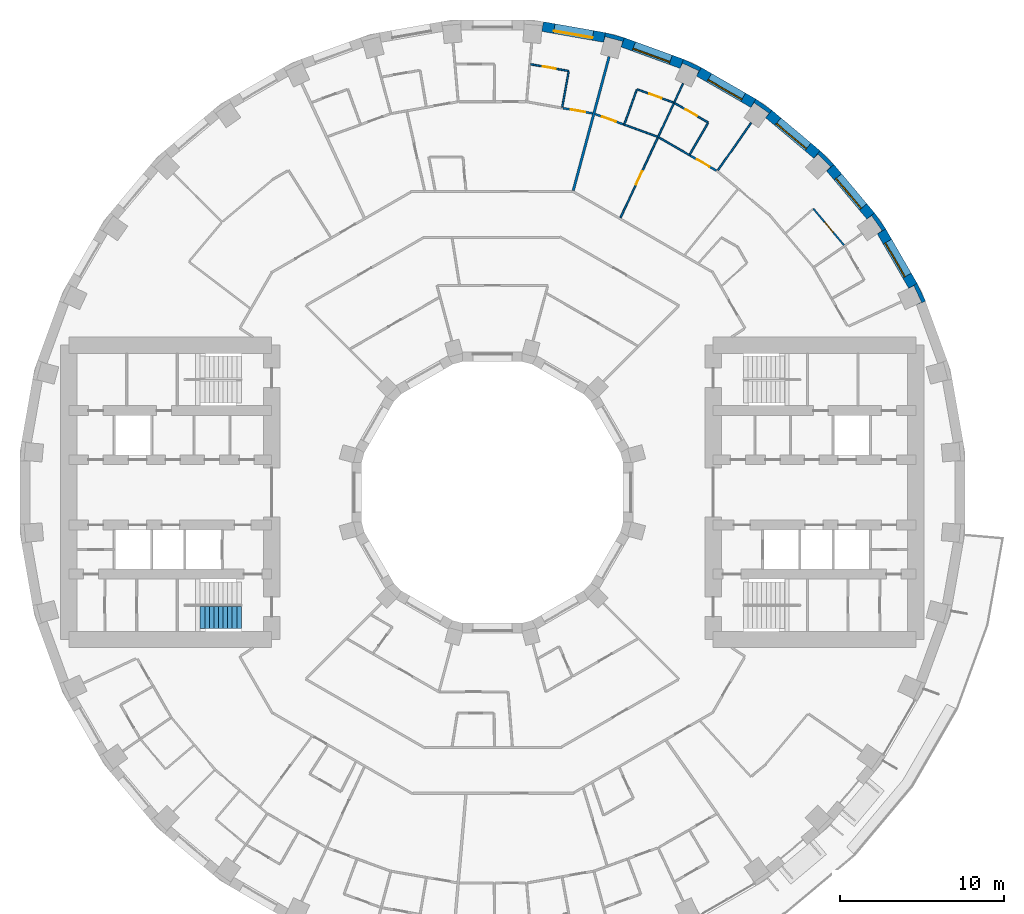
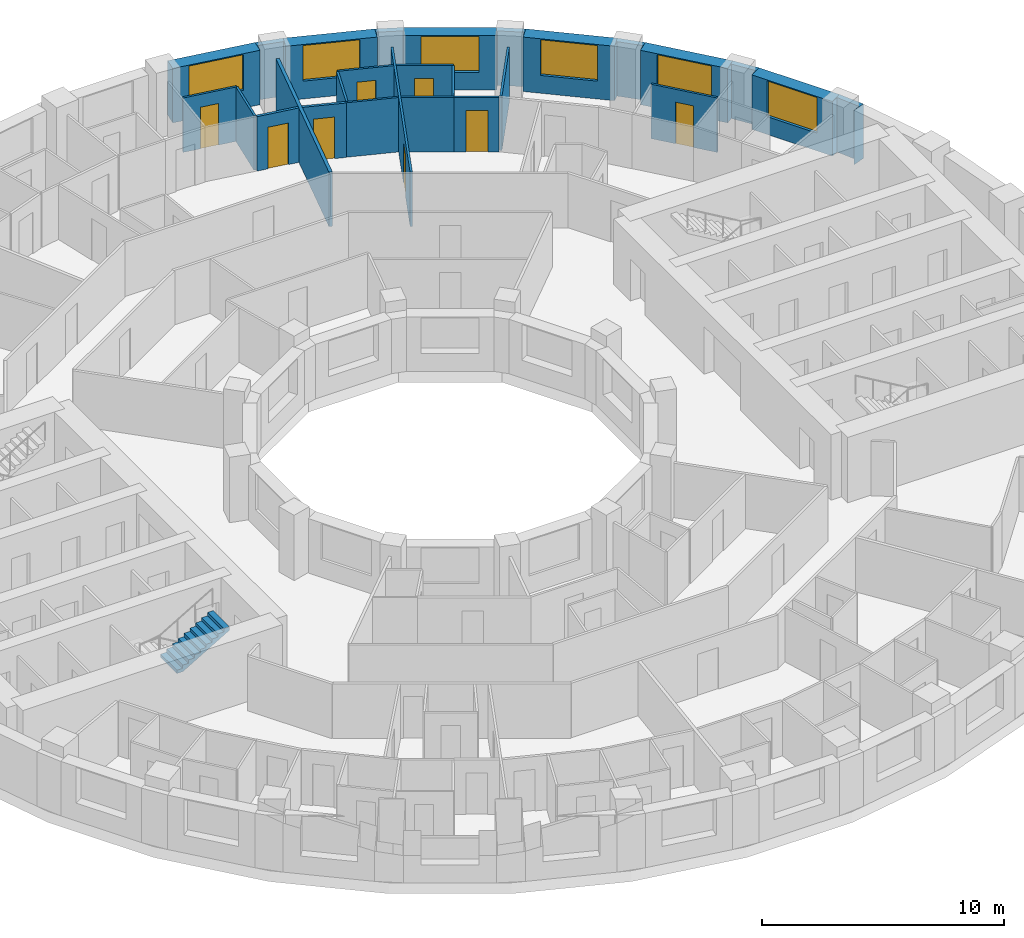
# One storey, part 13 of 15: 27 walls, 8 doors, 6 windows, 1 stair flight, 14 openings, 1 element without a shape of its own.
"""IFC4 building model written with IfcOpenShell, lengths in metres."""

from ifc_helpers import new_model, si_unit, direction, frame, frame_2d, origin, place, context, subcontext, project, spatial, polyline, rectangle, outline, extrude, material, layer, layer_set, type_object, element, fill, aggregate, save


model = new_model("IFC4")

# Units and contexts
model_context = context("Model", 3, precision=1e-05, world=origin(), true_north=direction((0.0, 1.0)))
body_context = subcontext(model_context, "Body", "Model", "MODEL_VIEW")
ifc_project = project(units=[si_unit("LENGTHUNIT", "METRE"), si_unit("AREAUNIT", "SQUARE_METRE"), si_unit("VOLUMEUNIT", "CUBIC_METRE"), si_unit("PLANEANGLEUNIT", "RADIAN"), si_unit("MASSUNIT", "GRAM", prefix="KILO")], contexts=[model_context])

# Site, building, storey
site_placement = place(None, origin())
site = spatial("IfcSite", under=ifc_project, at=site_placement, CompositionType="ELEMENT")
building_placement = place(site_placement, origin())
building = spatial("IfcBuilding", under=site, at=building_placement, Name="Saqina Gate Tower", CompositionType="ELEMENT")
storey_placement = place(building_placement, frame((0.0, 0.0, 39.5)))
storey = spatial("IfcBuildingStorey", under=building, at=storey_placement, Name="L10", CompositionType="ELEMENT", Elevation=39.5)

# Walls
ifc_material_1 = material(Name="Brick masonry (red)", Category="masonry")
wall_type_1 = type_object("IfcWallType", Name="BRICK PIER COPING RED", PredefinedType="SOLIDWALL", material=ifc_material_1)
wall_1_placement = place(storey_placement, origin())
element("IfcWall", 1, at=wall_1_placement, inside=storey, type_object=wall_type_1, Name="Pier cap L10 column 3", PredefinedType="SOLIDWALL", context=body_context, shape_type="SweptSolid", body=[
    extrude(outline(polyline([(25.980712890625, 12.779541015625), (25.4609375, 12.4794921875), (25.778564453125, 12.627685546875), (26.243408203125, 11.630615234375), (25.92578125, 11.482666015625), (26.48974609375, 11.687744140625), (25.980712890625, 12.779541015625)])), origin(), (0.0, 0.0, 1.0), 2.75),
])
wall_2_placement = place(storey_placement, origin())
element("IfcWall", 2, at=wall_2_placement, inside=storey, type_object=wall_type_1, Name="Pier cap L10 column 4", PredefinedType="SOLIDWALL", context=body_context, shape_type="SweptSolid", body=[
    extrude(outline(polyline([(24.0576171875, 16.110107421875), (23.36669921875, 17.096923828125), (22.9072265625, 16.711181640625), (23.194091796875, 16.912109375), (23.8251953125, 16.010986328125), (23.5380859375, 15.81005859375), (24.0576171875, 16.110107421875)])), origin(), (0.0, 0.0, 1.0), 2.75),
])
wall_3_placement = place(storey_placement, origin())
element("IfcWall", 3, at=wall_3_placement, inside=storey, type_object=wall_type_1, Name="Pier cap L10 column 5", PredefinedType="SOLIDWALL", context=body_context, shape_type="SweptSolid", body=[
    extrude(outline(polyline([(20.04296875, 20.894775390625), (19.6572265625, 20.43505859375), (19.905029296875, 20.682861328125), (20.682861328125, 19.905029296875), (20.43505859375, 19.6572265625), (20.894775390625, 20.04296875), (20.04296875, 20.894775390625)])), origin(), (0.0, 0.0, 1.0), 2.75),
])
wall_4_placement = place(storey_placement, origin())
element("IfcWall", 4, at=wall_4_placement, inside=storey, type_object=wall_type_1, Name="Pier cap L10 column 6", PredefinedType="SOLIDWALL", context=body_context, shape_type="SweptSolid", body=[
    extrude(outline(polyline([(17.096923828125, 23.36669921875), (16.110107421875, 24.0576171875), (15.81005859375, 23.5380859375), (16.010986328125, 23.8251953125), (16.912109375, 23.194091796875), (16.711181640625, 22.9072265625), (17.096923828125, 23.36669921875)])), origin(), (0.0, 0.0, 1.0), 2.75),
])
wall_5_placement = place(storey_placement, origin())
element("IfcWall", 5, at=wall_5_placement, inside=storey, type_object=wall_type_1, Name="Pier cap L10 column 7", PredefinedType="SOLIDWALL", context=body_context, shape_type="SweptSolid", body=[
    extrude(outline(polyline([(11.687744140625, 26.48974609375), (11.482666015625, 25.92578125), (11.630615234375, 26.243408203125), (12.627685546875, 25.778564453125), (12.4794921875, 25.4609375), (12.779541015625, 25.980712890625), (11.687744140625, 26.48974609375)])), origin(), (0.0, 0.0, 1.0), 2.75),
])
wall_6_placement = place(storey_placement, origin())
element("IfcWall", 6, at=wall_6_placement, inside=storey, type_object=wall_type_1, Name="Pier cap L10 column 8", PredefinedType="SOLIDWALL", context=body_context, shape_type="SweptSolid", body=[
    extrude(outline(polyline([(6.910400390625, 28.11669921875), (6.80615234375, 27.52587890625), (6.896728515625, 27.864501953125), (7.95947265625, 27.57958984375), (7.86865234375, 27.2412109375), (8.073974609375, 27.80517578125), (6.910400390625, 28.11669921875)])), origin(), (0.0, 0.0, 1.0), 2.75),
])

# Wall, opening, window
ifc_material_2 = material(Name="Brick masonry (red)", Category="masonry")
ifc_layer_1 = layer(ifc_material_2, 0.60009765625)
ifc_layer_set_1 = layer_set([ifc_layer_1], Name="FW-BRICK-RED")
wall_type_2 = type_object("IfcWallType", Name="FW-BRICK-RED", PredefinedType="SOLIDWALL", material=ifc_layer_set_1)
wall_7_placement = place(storey_placement, frame((25.720703125, 12.629638671875, 0.0), z_axis=(0.0, 0.0, 1.0), x_axis=(-0.499989888488, 0.86603124159, 0.0)))
wall_7 = element("IfcWall", 7, at=wall_7_placement, inside=storey, type_object=wall_type_2, Name="Facade wall L10 facet 3", PredefinedType="SOLIDWALL", context=body_context, shape_type="SweptSolid", body=[
    extrude(rectangle(XDim=3.845703125, YDim=0.60009765625, at=frame_2d((1.9228515625, 0.0))), origin(), (0.0, 0.0, 1.0), 2.75),
])
opening_1_placement = place(wall_7_placement, frame((0.722900390625, 0.0, 0.89990234375)))
opening_1 = element("IfcOpeningElement", 8, at=opening_1_placement, cuts=wall_7, Name="Opening G02-W01", PredefinedType="OPENING", context=body_context, shape_type="SweptSolid", body=[
    extrude(rectangle(XDim=2.39990234375, YDim=1.800048828125, at=frame_2d((1.199951171875, 0.89990234375))), frame((0.0, 0.31201171875, 0.0), z_axis=(0.0, -1.0, 0.0), x_axis=(1.0, 0.0, 0.0)), (0.0, 0.0, 1.0), 0.6240234375),
])
ifc_material_3 = material(Name="Aluminium glazing", Category="aluminium")
window_type = type_object("IfcWindowType", Name="WN-A", PartitioningType="SINGLE_PANEL", PredefinedType="WINDOW", material=ifc_material_3)
window_1_placement = place(opening_1_placement, origin())
window_1 = element("IfcWindow", 9, at=window_1_placement, inside=storey, type_object=window_type, Name="Window L10 facet 3", OverallHeight=1.800048828125, OverallWidth=2.39990234375, PartitioningType="SINGLE_PANEL", PredefinedType="WINDOW", context=body_context, shape_type="SweptSolid", body=[
    extrude(rectangle(XDim=2.39990234375, YDim=1.800048828125, at=frame_2d((1.199951171875, 0.89990234375))), frame((0.0, 0.179931640625, 0.0), z_axis=(0.0, -1.0, 0.0), x_axis=(1.0, 0.0, 0.0)), (0.0, 0.0, 1.0), 0.06005859375),
])
fill(opening_1, window_1)

wall_8_placement = place(storey_placement, frame((23.136962890625, 16.904052734375, 0.0), z_axis=(0.0, 0.0, 1.0), x_axis=(-0.642809392687, 0.766026164483, 0.0)))
wall_8 = element("IfcWall", 10, at=wall_8_placement, inside=storey, type_object=wall_type_2, Name="Facade wall L10 facet 4", PredefinedType="SOLIDWALL", context=body_context, shape_type="SweptSolid", body=[
    extrude(rectangle(XDim=3.845947265625, YDim=0.60009765625, at=frame_2d((1.9228515625, 0.0))), origin(), (0.0, 0.0, 1.0), 2.75),
])
opening_2_placement = place(wall_8_placement, frame((0.722900390625, 0.0, 0.89990234375)))
opening_2 = element("IfcOpeningElement", 11, at=opening_2_placement, cuts=wall_8, Name="Opening G02-W02", PredefinedType="OPENING", context=body_context, shape_type="SweptSolid", body=[
    extrude(rectangle(XDim=2.39990234375, YDim=1.800048828125, at=frame_2d((1.199951171875, 0.89990234375))), frame((0.0, 0.31201171875, 0.0), z_axis=(0.0, -1.0, 0.0), x_axis=(1.0, 0.0, 0.0)), (0.0, 0.0, 1.0), 0.6240234375),
])
window_2_placement = place(opening_2_placement, origin())
window_2 = element("IfcWindow", 12, at=window_2_placement, inside=storey, type_object=window_type, Name="Window L10 facet 4", OverallHeight=1.800048828125, OverallWidth=2.39990234375, PartitioningType="SINGLE_PANEL", PredefinedType="WINDOW", context=body_context, shape_type="SweptSolid", body=[
    extrude(rectangle(XDim=2.39990234375, YDim=1.800048828125, at=frame_2d((1.199951171875, 0.89990234375))), frame((0.0, 0.179931640625, 0.0), z_axis=(0.0, -1.0, 0.0), x_axis=(1.0, 0.0, 0.0)), (0.0, 0.0, 1.0), 0.06005859375),
])
fill(opening_2, window_2)

wall_9_placement = place(storey_placement, frame((19.85009765625, 20.664794921875, 0.0), z_axis=(0.0, 0.0, 1.0), x_axis=(-0.766026164483, 0.642809392687, 0.0)))
wall_9 = element("IfcWall", 13, at=wall_9_placement, inside=storey, type_object=wall_type_2, Name="Facade wall L10 facet 5", PredefinedType="SOLIDWALL", context=body_context, shape_type="SweptSolid", body=[
    extrude(rectangle(XDim=3.845947265625, YDim=0.60009765625, at=frame_2d((1.9228515625, 0.0))), origin(), (0.0, 0.0, 1.0), 2.75),
])
opening_3_placement = place(wall_9_placement, frame((0.722900390625, 0.0, 0.89990234375)))
opening_3 = element("IfcOpeningElement", 14, at=opening_3_placement, cuts=wall_9, Name="Opening G02-W03", PredefinedType="OPENING", context=body_context, shape_type="SweptSolid", body=[
    extrude(rectangle(XDim=2.39990234375, YDim=1.800048828125, at=frame_2d((1.199951171875, 0.89990234375))), frame((0.0, 0.31201171875, 0.0), z_axis=(0.0, -1.0, 0.0), x_axis=(1.0, 0.0, 0.0)), (0.0, 0.0, 1.0), 0.6240234375),
])
window_3_placement = place(opening_3_placement, origin())
window_3 = element("IfcWindow", 15, at=window_3_placement, inside=storey, type_object=window_type, Name="Window L10 facet 5", OverallHeight=1.800048828125, OverallWidth=2.39990234375, PartitioningType="SINGLE_PANEL", PredefinedType="WINDOW", context=body_context, shape_type="SweptSolid", body=[
    extrude(rectangle(XDim=2.39990234375, YDim=1.800048828125, at=frame_2d((1.199951171875, 0.89990234375))), frame((0.0, 0.179931640625, 0.0), z_axis=(0.0, -1.0, 0.0), x_axis=(1.0, 0.0, 0.0)), (0.0, 0.0, 1.0), 0.06005859375),
])
fill(opening_3, window_3)

wall_10_placement = place(storey_placement, frame((15.960205078125, 23.7978515625, 0.0), z_axis=(0.0, 0.0, 1.0), x_axis=(-0.86603124159, 0.499989888488, 0.0)))
wall_10 = element("IfcWall", 16, at=wall_10_placement, inside=storey, type_object=wall_type_2, Name="Facade wall L10 facet 6", PredefinedType="SOLIDWALL", context=body_context, shape_type="SweptSolid", body=[
    extrude(rectangle(XDim=3.845703125, YDim=0.60009765625, at=frame_2d((1.9228515625, 0.0))), origin(), (0.0, 0.0, 1.0), 2.75),
])
opening_4_placement = place(wall_10_placement, frame((0.722900390625, 0.0, 0.89990234375)))
opening_4 = element("IfcOpeningElement", 17, at=opening_4_placement, cuts=wall_10, Name="Opening G02-W04", PredefinedType="OPENING", context=body_context, shape_type="SweptSolid", body=[
    extrude(rectangle(XDim=2.39990234375, YDim=1.800048828125, at=frame_2d((1.199951171875, 0.89990234375))), frame((0.0, 0.31201171875, 0.0), z_axis=(0.0, -1.0, 0.0), x_axis=(1.0, 0.0, 0.0)), (0.0, 0.0, 1.0), 0.6240234375),
])
window_4_placement = place(opening_4_placement, origin())
window_4 = element("IfcWindow", 18, at=window_4_placement, inside=storey, type_object=window_type, Name="Window L10 facet 6", OverallHeight=1.800048828125, OverallWidth=2.39990234375, PartitioningType="SINGLE_PANEL", PredefinedType="WINDOW", context=body_context, shape_type="SweptSolid", body=[
    extrude(rectangle(XDim=2.39990234375, YDim=1.800048828125, at=frame_2d((1.199951171875, 0.89990234375))), frame((0.0, 0.179931640625, 0.0), z_axis=(0.0, -1.0, 0.0), x_axis=(1.0, 0.0, 0.0)), (0.0, 0.0, 1.0), 0.06005859375),
])
fill(opening_4, window_4)

wall_11_placement = place(storey_placement, frame((11.585205078125, 26.207763671875, 0.0), z_axis=(0.0, 0.0, 1.0), x_axis=(-0.939689588564, 0.342028474173, 0.0)))
wall_11 = element("IfcWall", 19, at=wall_11_placement, inside=storey, type_object=wall_type_2, Name="Facade wall L10 facet 7", PredefinedType="SOLIDWALL", context=body_context, shape_type="SweptSolid", body=[
    extrude(rectangle(XDim=3.845947265625, YDim=0.60009765625, at=frame_2d((1.9228515625, 0.0))), origin(), (0.0, 0.0, 1.0), 2.75),
])
opening_5_placement = place(wall_11_placement, frame((0.722900390625, 0.0, 0.89990234375)))
opening_5 = element("IfcOpeningElement", 20, at=opening_5_placement, cuts=wall_11, Name="Opening G02-W05", PredefinedType="OPENING", context=body_context, shape_type="SweptSolid", body=[
    extrude(rectangle(XDim=2.39990234375, YDim=1.800048828125, at=frame_2d((1.199951171875, 0.89990234375))), frame((0.0, 0.31201171875, 0.0), z_axis=(0.0, -1.0, 0.0), x_axis=(1.0, 0.0, 0.0)), (0.0, 0.0, 1.0), 0.6240234375),
])
window_5_placement = place(opening_5_placement, origin())
window_5 = element("IfcWindow", 21, at=window_5_placement, inside=storey, type_object=window_type, Name="Window L10 facet 7", OverallHeight=1.800048828125, OverallWidth=2.39990234375, PartitioningType="SINGLE_PANEL", PredefinedType="WINDOW", context=body_context, shape_type="SweptSolid", body=[
    extrude(rectangle(XDim=2.39990234375, YDim=1.800048828125, at=frame_2d((1.199951171875, 0.89990234375))), frame((0.0, 0.179931640625, 0.0), z_axis=(0.0, -1.0, 0.0), x_axis=(1.0, 0.0, 0.0)), (0.0, 0.0, 1.0), 0.06005859375),
])
fill(opening_5, window_5)

wall_12_placement = place(storey_placement, frame((6.858154296875, 27.8212890625, 0.0), z_axis=(0.0, 0.0, 1.0), x_axis=(-0.984800809218, 0.173687553279, 0.0)))
wall_12 = element("IfcWall", 22, at=wall_12_placement, inside=storey, type_object=wall_type_2, Name="Facade wall L10 facet 8", PredefinedType="SOLIDWALL", context=body_context, shape_type="SweptSolid", body=[
    extrude(rectangle(XDim=3.845703125, YDim=0.60009765625, at=frame_2d((1.9228515625, 0.0))), origin(), (0.0, 0.0, 1.0), 2.75),
])
opening_6_placement = place(wall_12_placement, frame((0.722900390625, 0.0, 0.89990234375)))
opening_6 = element("IfcOpeningElement", 23, at=opening_6_placement, cuts=wall_12, Name="Opening G02-W06", PredefinedType="OPENING", context=body_context, shape_type="SweptSolid", body=[
    extrude(rectangle(XDim=2.39990234375, YDim=1.800048828125, at=frame_2d((1.199951171875, 0.89990234375))), frame((0.0, 0.31201171875, 0.0), z_axis=(0.0, -1.0, 0.0), x_axis=(1.0, 0.0, 0.0)), (0.0, 0.0, 1.0), 0.6240234375),
])
window_6_placement = place(opening_6_placement, origin())
window_6 = element("IfcWindow", 24, at=window_6_placement, inside=storey, type_object=window_type, Name="Window L10 facet 8", OverallHeight=1.800048828125, OverallWidth=2.39990234375, PartitioningType="SINGLE_PANEL", PredefinedType="WINDOW", context=body_context, shape_type="SweptSolid", body=[
    extrude(rectangle(XDim=2.39990234375, YDim=1.800048828125, at=frame_2d((1.199951171875, 0.89990234375))), frame((0.0, 0.179931640625, 0.0), z_axis=(0.0, -1.0, 0.0), x_axis=(1.0, 0.0, 0.0)), (0.0, 0.0, 1.0), 0.06005859375),
])
fill(opening_6, window_6)

# Wall, opening, door
ifc_material_4 = material(Name="Gypsum board on steel studs, 100 mm", Category="steel")
ifc_layer_2 = layer(ifc_material_4, 0.10009765625)
ifc_layer_set_2 = layer_set([ifc_layer_2], Name="PARTITION 100")
wall_type_3 = type_object("IfcWallType", Name="PARTITION 100", PredefinedType="PARTITIONING", material=ifc_layer_set_2)
wall_13_placement = place(storey_placement, frame((19.62890625, 17.35107421875, 0.0), z_axis=(0.0, 0.0, 1.0), x_axis=(0.642701049916, -0.766117067057, 0.0)))
wall_13 = element("IfcWall", 25, at=wall_13_placement, inside=storey, type_object=wall_type_3, Name="PARTITION PW3-33", PredefinedType="PARTITIONING", context=body_context, shape_type="SweptSolid", body=[
    extrude(rectangle(XDim=2.915771484375, YDim=0.10009765625, at=frame_2d((1.4580078125, 0.0))), origin(), (0.0, 0.0, 1.0), 2.75),
])
opening_7_placement = place(wall_13_placement, frame((1.082763671875, 0.0, 0.0)))
opening_7 = element("IfcOpeningElement", 26, at=opening_7_placement, cuts=wall_13, Name="Opening G02-D04", PredefinedType="OPENING", context=body_context, shape_type="SweptSolid", body=[
    extrude(rectangle(XDim=0.800048828125, YDim=2.10009765625, at=frame_2d((0.39990234375, 1.050048828125))), frame((0.0, 0.06201171875, 0.0), z_axis=(0.0, -1.0, 0.0), x_axis=(1.0, 0.0, 0.0)), (0.0, 0.0, 1.0), 0.1240234375),
])
ifc_material_5 = material(Name="Timber door leaf, 800 mm", Category="wood")
door_type_1 = type_object("IfcDoorType", Name="DOOR 800 TIMBER", OperationType="SINGLE_SWING_LEFT", PredefinedType="DOOR", material=ifc_material_5)
door_1_placement = place(opening_7_placement, origin())
door_1 = element("IfcDoor", 27, at=door_1_placement, inside=storey, type_object=door_type_1, Name="DOOR G02-D04", OperationType="SINGLE_SWING_RIGHT", OverallHeight=2.10009765625, OverallWidth=0.800048828125, PredefinedType="DOOR", context=body_context, shape_type="SweptSolid", body=[
    extrude(rectangle(XDim=0.800048828125, YDim=2.10009765625, at=frame_2d((0.39990234375, 1.050048828125))), frame((0.0, 0.02490234375, 0.0), z_axis=(0.0, -1.0, 0.0), x_axis=(1.0, 0.0, 0.0)), (0.0, 0.0, 1.0), 0.050048828125),
])
fill(opening_7, door_1)

# Wall
wall_14_placement = place(storey_placement, frame((10.17822265625, 21.708984375, 0.0), z_axis=(0.0, 0.0, 1.0), x_axis=(0.865986508459, -0.50006736263, 0.0)))
element("IfcWall", 28, at=wall_14_placement, inside=storey, type_object=wall_type_3, Name="PARTITION PW3-47", PredefinedType="PARTITIONING", context=body_context, shape_type="SweptSolid", body=[
    extrude(rectangle(XDim=2.205810546875, YDim=0.10009765625, at=frame_2d((1.10302734375, 0.0))), origin(), (0.0, 0.0, 1.0), 2.75),
])

# Wall, opening, door
wall_15_placement = place(storey_placement, frame((11.154296875, 23.802001953125, 0.0), z_axis=(0.0, 0.0, 1.0), x_axis=(0.865910737143, -0.500198555877, 0.0)))
wall_15 = element("IfcWall", 29, at=wall_15_placement, inside=storey, type_object=wall_type_3, Name="PARTITION PW3-48", PredefinedType="PARTITIONING", context=body_context, shape_type="SweptSolid", body=[
    extrude(rectangle(XDim=2.3671875, YDim=0.10009765625, at=frame_2d((1.18359375, 0.0))), origin(), (0.0, 0.0, 1.0), 2.75),
])
opening_8_placement = place(wall_15_placement, frame((0.758544921875, 0.0, 0.0)))
opening_8 = element("IfcOpeningElement", 30, at=opening_8_placement, cuts=wall_15, Name="Opening G02-D11", PredefinedType="OPENING", context=body_context, shape_type="SweptSolid", body=[
    extrude(rectangle(XDim=0.800048828125, YDim=2.10009765625, at=frame_2d((0.39990234375, 1.050048828125))), frame((0.0, 0.06201171875, 0.0), z_axis=(0.0, -1.0, 0.0), x_axis=(1.0, 0.0, 0.0)), (0.0, 0.0, 1.0), 0.1240234375),
])
door_2_placement = place(opening_8_placement, origin())
door_2 = element("IfcDoor", 31, at=door_2_placement, inside=storey, type_object=door_type_1, Name="DOOR G02-D11", OperationType="SINGLE_SWING_LEFT", OverallHeight=2.10009765625, OverallWidth=0.800048828125, PredefinedType="DOOR", context=body_context, shape_type="SweptSolid", body=[
    extrude(rectangle(XDim=0.800048828125, YDim=2.10009765625, at=frame_2d((0.39990234375, 1.050048828125))), frame((0.0, 0.02490234375, 0.0), z_axis=(0.0, -1.0, 0.0), x_axis=(1.0, 0.0, 0.0)), (0.0, 0.0, 1.0), 0.050048828125),
])
fill(opening_8, door_2)

# Wall
wall_16_placement = place(storey_placement, frame((8.014892578125, 22.505126953125, 0.0), z_axis=(0.0, 0.0, 1.0), x_axis=(0.939744943051, -0.341876354856, 0.0)))
element("IfcWall", 32, at=wall_16_placement, inside=storey, type_object=wall_type_3, Name="PARTITION PW3-51", PredefinedType="PARTITIONING", context=body_context, shape_type="SweptSolid", body=[
    extrude(rectangle(XDim=2.205810546875, YDim=0.10009765625, at=frame_2d((1.10302734375, 0.0))), origin(), (0.0, 0.0, 1.0), 2.75),
])

# Wall, opening, door
wall_17_placement = place(storey_placement, frame((8.839111328125, 24.653076171875, 0.0), z_axis=(0.0, 0.0, 1.0), x_axis=(0.939787401385, -0.341759623416, 0.0)))
wall_17 = element("IfcWall", 33, at=wall_17_placement, inside=storey, type_object=wall_type_3, Name="PARTITION PW3-52", PredefinedType="PARTITIONING", context=body_context, shape_type="SweptSolid", body=[
    extrude(rectangle(XDim=2.367431640625, YDim=0.10009765625, at=frame_2d((1.18359375, 0.0))), origin(), (0.0, 0.0, 1.0), 2.75),
])
opening_9_placement = place(wall_17_placement, frame((0.80859375, 0.0, 0.0)))
opening_9 = element("IfcOpeningElement", 34, at=opening_9_placement, cuts=wall_17, Name="Opening G02-D13", PredefinedType="OPENING", context=body_context, shape_type="SweptSolid", body=[
    extrude(rectangle(XDim=0.800048828125, YDim=2.10009765625, at=frame_2d((0.39990234375, 1.050048828125))), frame((0.0, 0.06201171875, 0.0), z_axis=(0.0, -1.0, 0.0), x_axis=(1.0, 0.0, 0.0)), (0.0, 0.0, 1.0), 0.1240234375),
])
door_3_placement = place(opening_9_placement, origin())
door_3 = element("IfcDoor", 35, at=door_3_placement, inside=storey, type_object=door_type_1, Name="DOOR G02-D13", OperationType="SINGLE_SWING_RIGHT", OverallHeight=2.10009765625, OverallWidth=0.800048828125, PredefinedType="DOOR", context=body_context, shape_type="SweptSolid", body=[
    extrude(rectangle(XDim=0.800048828125, YDim=2.10009765625, at=frame_2d((0.39990234375, 1.050048828125))), frame((0.0, 0.02490234375, 0.0), z_axis=(0.0, -1.0, 0.0), x_axis=(1.0, 0.0, 0.0)), (0.0, 0.0, 1.0), 0.050048828125),
])
fill(opening_9, door_3)

wall_18_placement = place(storey_placement, frame((2.34033203125, 26.181396484375, 0.0), z_axis=(0.0, 0.0, 1.0), x_axis=(0.984791861756, -0.173738277359, 0.0)))
wall_18 = element("IfcWall", 36, at=wall_18_placement, inside=storey, type_object=wall_type_3, Name="PARTITION PW3-56", PredefinedType="PARTITIONING", context=body_context, shape_type="SweptSolid", body=[
    extrude(rectangle(XDim=2.36767578125, YDim=0.10009765625, at=frame_2d((1.183837890625, 0.0))), origin(), (0.0, 0.0, 1.0), 2.75),
])
opening_10_placement = place(wall_18_placement, frame((0.7587890625, 0.0, 0.0)))
opening_10 = element("IfcOpeningElement", 37, at=opening_10_placement, cuts=wall_18, Name="Opening G02-D16", PredefinedType="OPENING", context=body_context, shape_type="SweptSolid", body=[
    extrude(rectangle(XDim=0.800048828125, YDim=2.10009765625, at=frame_2d((0.39990234375, 1.050048828125))), frame((0.0, 0.06201171875, 0.0), z_axis=(0.0, -1.0, 0.0), x_axis=(1.0, 0.0, 0.0)), (0.0, 0.0, 1.0), 0.1240234375),
])
door_4_placement = place(opening_10_placement, origin())
door_4 = element("IfcDoor", 38, at=door_4_placement, inside=storey, type_object=door_type_1, Name="DOOR G02-D16", OperationType="SINGLE_SWING_LEFT", OverallHeight=2.10009765625, OverallWidth=0.800048828125, PredefinedType="DOOR", context=body_context, shape_type="SweptSolid", body=[
    extrude(rectangle(XDim=0.800048828125, YDim=2.10009765625, at=frame_2d((0.39990234375, 1.050048828125))), frame((0.0, 0.02490234375, 0.0), z_axis=(0.0, -1.0, 0.0), x_axis=(1.0, 0.0, 0.0)), (0.0, 0.0, 1.0), 0.050048828125),
])
fill(opening_10, door_4)

# Walls
wall_19_placement = place(storey_placement, frame((13.790771484375, 19.6953125, 0.0), z_axis=(0.0, 0.0, 1.0), x_axis=(0.573554740156, 0.8191672357, 0.0)))
element("IfcWall", 39, at=wall_19_placement, inside=storey, type_object=wall_type_3, Name="PARTITION PW3-98", PredefinedType="PARTITIONING", context=body_context, shape_type="SweptSolid", body=[
    extrude(rectangle(XDim=3.546630859375, YDim=0.10009765625, at=frame_2d((1.7734375, 0.0))), origin(), (0.0, 0.0, 1.0), 2.75),
])
wall_20_placement = place(storey_placement, frame((12.076416015625, 20.68505859375, 0.0), z_axis=(0.0, 0.0, 1.0), x_axis=(0.503871025524, 0.863778900898, 0.0)))
element("IfcWall", 40, at=wall_20_placement, inside=storey, type_object=wall_type_3, Name="PARTITION PW3-100", PredefinedType="PARTITIONING", context=body_context, shape_type="SweptSolid", body=[
    extrude(rectangle(XDim=2.187744140625, YDim=0.10009765625, at=frame_2d((1.09375, 0.0))), origin(), (0.0, 0.0, 1.0), 2.75),
])

# Wall, opening, door
wall_21_placement = place(storey_placement, frame((7.834716796875, 16.795654296875, 0.0), z_axis=(0.0, 0.0, 1.0), x_axis=(0.422351185038, 0.906432279046, 0.0)))
wall_21 = element("IfcWall", 41, at=wall_21_placement, inside=storey, type_object=wall_type_3, Name="PARTITION PW3-103", PredefinedType="PARTITIONING", context=body_context, shape_type="SweptSolid", body=[
    extrude(rectangle(XDim=9.056884765625, YDim=0.10009765625, at=frame_2d((4.5283203125, 0.0))), origin(), (0.0, 0.0, 1.0), 2.75),
])
opening_11_placement = place(wall_21_placement, frame((2.24267578125, 0.0, 0.0)))
opening_11 = element("IfcOpeningElement", 42, at=opening_11_placement, cuts=wall_21, Name="Opening G02-D12", PredefinedType="OPENING", context=body_context, shape_type="SweptSolid", body=[
    extrude(rectangle(XDim=0.89990234375, YDim=2.10009765625, at=frame_2d((0.449951171875, 1.050048828125))), frame((0.0, 0.06201171875, 0.0), z_axis=(0.0, -1.0, 0.0), x_axis=(1.0, 0.0, 0.0)), (0.0, 0.0, 1.0), 0.1240234375),
])
ifc_material_6 = material(Name="Timber door leaf, 900 mm", Category="wood")
door_type_2 = type_object("IfcDoorType", Name="DOOR 900 TIMBER", OperationType="SINGLE_SWING_LEFT", PredefinedType="DOOR", material=ifc_material_6)
door_5_placement = place(opening_11_placement, frame((0.89990234375, 0.0, 0.0), z_axis=(0.0, 0.0, 1.0), x_axis=(-1.0, 0.0, 0.0)))
door_5 = element("IfcDoor", 43, at=door_5_placement, inside=storey, type_object=door_type_2, Name="DOOR G02-D12", OperationType="SINGLE_SWING_RIGHT", OverallHeight=2.10009765625, OverallWidth=0.89990234375, PredefinedType="DOOR", context=body_context, shape_type="SweptSolid", body=[
    extrude(rectangle(XDim=0.89990234375, YDim=2.10009765625, at=frame_2d((0.449951171875, 1.050048828125))), frame((0.0, 0.02490234375, 0.0), z_axis=(0.0, -1.0, 0.0), x_axis=(1.0, 0.0, 0.0)), (0.0, 0.0, 1.0), 0.050048828125),
])
fill(opening_11, door_5)

# Walls
wall_22_placement = place(storey_placement, frame((8.0830078125, 22.546875, 0.0), z_axis=(0.0, 0.0, 1.0), x_axis=(0.337806451735, 0.9412155976, 0.0)))
element("IfcWall", 44, at=wall_22_placement, inside=storey, type_object=wall_type_3, Name="PARTITION PW3-106", PredefinedType="PARTITIONING", context=body_context, shape_type="SweptSolid", body=[
    extrude(rectangle(XDim=2.187744140625, YDim=0.10009765625, at=frame_2d((1.09375, 0.0))), origin(), (0.0, 0.0, 1.0), 2.75),
])
wall_23_placement = place(storey_placement, frame((4.27099609375, 23.55615234375, 0.0), z_axis=(0.0, 0.0, 1.0), x_axis=(0.178240802931, 0.983986898373, 0.0)))
element("IfcWall", 45, at=wall_23_placement, inside=storey, type_object=wall_type_3, Name="PARTITION PW3-109", PredefinedType="PARTITIONING", context=body_context, shape_type="SweptSolid", body=[
    extrude(rectangle(XDim=2.19970703125, YDim=0.10009765625, at=frame_2d((1.099853515625, 0.0))), origin(), (0.0, 0.0, 1.0), 2.75),
])

# Wall, opening, door
ifc_material_7 = material(Name="Gypsum board on steel studs, 125 mm, fire rated", Category="steel")
ifc_layer_3 = layer(ifc_material_7, 0.125)
ifc_layer_set_3 = layer_set([ifc_layer_3], Name="PARTITION EI 30 125")
wall_type_4 = type_object("IfcWallType", Name="PARTITION EI 30 125", PredefinedType="PARTITIONING", material=ifc_layer_set_3)
wall_24_placement = place(storey_placement, frame((12.08837890625, 20.60595703125, 0.0), z_axis=(0.0, 0.0, 1.0), x_axis=(0.866104801807, -0.499862453367, 0.0)))
wall_24 = element("IfcWall", 46, at=wall_24_placement, inside=storey, type_object=wall_type_4, Name="PARTITION PW1-21", PredefinedType="PARTITIONING", context=body_context, shape_type="SweptSolid", body=[
    extrude(rectangle(XDim=1.86181640625, YDim=0.125, at=frame_2d((0.930908203125, 0.0))), origin(), (0.0, 0.0, 1.0), 2.75),
])
opening_12_placement = place(wall_24_placement, frame((0.4873046875, 0.0, 0.0)))
opening_12 = element("IfcOpeningElement", 47, at=opening_12_placement, cuts=wall_24, Name="Opening G02-D08", PredefinedType="OPENING", context=body_context, shape_type="SweptSolid", body=[
    extrude(rectangle(XDim=0.89990234375, YDim=2.10009765625, at=frame_2d((0.449951171875, 1.050048828125))), frame((0.0, 0.074462890625, 0.0), z_axis=(0.0, -1.0, 0.0), x_axis=(1.0, 0.0, 0.0)), (0.0, 0.0, 1.0), 0.14892578125),
])
ifc_material_8 = material(Name="Fire door leaf EI 30, 900 mm")
door_type_3 = type_object("IfcDoorType", Name="DOOR 900 EI 30", OperationType="SINGLE_SWING_LEFT", PredefinedType="DOOR", material=ifc_material_8)
door_6_placement = place(opening_12_placement, frame((0.89990234375, 0.0, 0.0), z_axis=(0.0, 0.0, 1.0), x_axis=(-1.0, 0.0, 0.0)))
door_6 = element("IfcDoor", 48, at=door_6_placement, inside=storey, type_object=door_type_3, Name="DOOR G02-D08", OperationType="SINGLE_SWING_LEFT", OverallHeight=2.10009765625, OverallWidth=0.89990234375, PredefinedType="DOOR", context=body_context, shape_type="SweptSolid", body=[
    extrude(rectangle(XDim=0.89990234375, YDim=2.10009765625, at=frame_2d((0.449951171875, 1.050048828125))), frame((0.0, 0.02490234375, 0.0), z_axis=(0.0, -1.0, 0.0), x_axis=(1.0, 0.0, 0.0)), (0.0, 0.0, 1.0), 0.050048828125),
])
fill(opening_12, door_6)

wall_25_placement = place(storey_placement, frame((6.277587890625, 23.138427734375, 0.0), z_axis=(0.0, 0.0, 1.0), x_axis=(0.939538772486, -0.34244254262, 0.0)))
wall_25 = element("IfcWall", 49, at=wall_25_placement, inside=storey, type_object=wall_type_4, Name="PARTITION PW1-23", PredefinedType="PARTITIONING", context=body_context, shape_type="SweptSolid", body=[
    extrude(rectangle(XDim=1.849365234375, YDim=0.125, at=frame_2d((0.9248046875, 0.0))), origin(), (0.0, 0.0, 1.0), 2.75),
])
opening_13_placement = place(wall_25_placement, frame((0.462158203125, 0.0, 0.0)))
opening_13 = element("IfcOpeningElement", 50, at=opening_13_placement, cuts=wall_25, Name="Opening G02-D14", PredefinedType="OPENING", context=body_context, shape_type="SweptSolid", body=[
    extrude(rectangle(XDim=0.89990234375, YDim=2.10009765625, at=frame_2d((0.449951171875, 1.050048828125))), frame((0.0, 0.074462890625, 0.0), z_axis=(0.0, -1.0, 0.0), x_axis=(1.0, 0.0, 0.0)), (0.0, 0.0, 1.0), 0.14892578125),
])
door_7_placement = place(opening_13_placement, frame((0.89990234375, 0.0, 0.0), z_axis=(0.0, 0.0, 1.0), x_axis=(-1.0, 0.0, 0.0)))
door_7 = element("IfcDoor", 51, at=door_7_placement, inside=storey, type_object=door_type_3, Name="DOOR G02-D14", OperationType="SINGLE_SWING_RIGHT", OverallHeight=2.10009765625, OverallWidth=0.89990234375, PredefinedType="DOOR", context=body_context, shape_type="SweptSolid", body=[
    extrude(rectangle(XDim=0.89990234375, YDim=2.10009765625, at=frame_2d((0.449951171875, 1.050048828125))), frame((0.0, 0.02490234375, 0.0), z_axis=(0.0, -1.0, 0.0), x_axis=(1.0, 0.0, 0.0)), (0.0, 0.0, 1.0), 0.050048828125),
])
fill(opening_13, door_7)

wall_26_placement = place(storey_placement, frame((4.311279296875, 23.498291015625, 0.0), z_axis=(0.0, 0.0, 1.0), x_axis=(0.984802153769, -0.173679929558, 0.0)))
wall_26 = element("IfcWall", 52, at=wall_26_placement, inside=storey, type_object=wall_type_4, Name="PARTITION PW1-25", PredefinedType="PARTITIONING", context=body_context, shape_type="SweptSolid", body=[
    extrude(rectangle(XDim=1.849853515625, YDim=0.125, at=frame_2d((0.9248046875, 0.0))), origin(), (0.0, 0.0, 1.0), 2.75),
])
opening_14_placement = place(wall_26_placement, frame((0.487548828125, 0.0, 0.0)))
opening_14 = element("IfcOpeningElement", 53, at=opening_14_placement, cuts=wall_26, Name="Opening G02-D15", PredefinedType="OPENING", context=body_context, shape_type="SweptSolid", body=[
    extrude(rectangle(XDim=0.89990234375, YDim=2.10009765625, at=frame_2d((0.449951171875, 1.050048828125))), frame((0.0, 0.074462890625, 0.0), z_axis=(0.0, -1.0, 0.0), x_axis=(1.0, 0.0, 0.0)), (0.0, 0.0, 1.0), 0.14892578125),
])
door_8_placement = place(opening_14_placement, frame((0.89990234375, 0.0, 0.0), z_axis=(0.0, 0.0, 1.0), x_axis=(-1.0, 0.0, 0.0)))
door_8 = element("IfcDoor", 54, at=door_8_placement, inside=storey, type_object=door_type_3, Name="DOOR G02-D15", OperationType="SINGLE_SWING_LEFT", OverallHeight=2.10009765625, OverallWidth=0.89990234375, PredefinedType="DOOR", context=body_context, shape_type="SweptSolid", body=[
    extrude(rectangle(XDim=0.89990234375, YDim=2.10009765625, at=frame_2d((0.449951171875, 1.050048828125))), frame((0.0, 0.02490234375, 0.0), z_axis=(0.0, -1.0, 0.0), x_axis=(1.0, 0.0, 0.0)), (0.0, 0.0, 1.0), 0.050048828125),
])
fill(opening_14, door_8)

# Wall
ifc_material_9 = material(Name="Gypsum board on steel studs, 150 mm, fire rated", Category="steel")
ifc_layer_4 = layer(ifc_material_9, 0.14990234375)
ifc_layer_set_4 = layer_set([ifc_layer_4], Name="PARTITION EI 60 150")
wall_type_5 = type_object("IfcWallType", Name="PARTITION EI 60 150", PredefinedType="PARTITIONING", material=ifc_layer_set_4)
wall_27_placement = place(storey_placement, frame((4.946533203125, 18.460205078125, 0.0), z_axis=(0.0, 0.0, 1.0), x_axis=(0.258782623342, 0.965935584734, 0.0)))
element("IfcWall", 55, at=wall_27_placement, inside=storey, type_object=wall_type_5, Name="PARTITION PW2-03", PredefinedType="PARTITIONING", context=body_context, shape_type="SweptSolid", body=[
    extrude(rectangle(XDim=8.478515625, YDim=0.14990234375, at=frame_2d((4.2392578125, 0.0))), origin(), (0.0, 0.0, 1.0), 2.75),
])

# Stair, stair flight
ifc_material_10 = material(Name="Concrete C40/50", Category="concrete")
stair_type = type_object("IfcStairType", Name="EXIT STAIR", PredefinedType="HALF_TURN_STAIR", material=ifc_material_10)
stair_placement = place(storey_placement, origin())
stair = element("IfcStair", 56, at=stair_placement, inside=storey, type_object=stair_type, Name="EXIT STAIR 4", PredefinedType="HALF_TURN_STAIR")
ifc_material_11 = material(Name="Concrete C40/50", Category="concrete")
stair_flight_type = type_object("IfcStairFlightType", Name="EXIT STAIR FLIGHT", PredefinedType="STRAIGHT", material=ifc_material_11)
stair_flight_placement = place(storey_placement, frame((-17.8701171875, -7.658447265625, 1.64990234375), z_axis=(0.0, 0.0, 1.0), x_axis=(1.0, 0.0, 0.0)))
stair_flight = element("IfcStairFlight", 57, at=stair_flight_placement, type_object=stair_flight_type, Name="EXIT STAIR 4 FLIGHT 2", NumberOfRisers=10, NumberOfTreads=9, PredefinedType="STRAIGHT", RiserHeight=0.165, TreadLength=0.28, context=body_context, shape_type="SweptSolid", body=[
    extrude(outline(polyline([(0.0, 0.0), (0.0, 0.1650390625), (0.280029296875, 0.1650390625), (0.280029296875, 0.330078125), (0.56005859375, 0.330078125), (0.56005859375, 0.4951171875), (0.840087890625, 0.4951171875), (0.840087890625, 0.659912109375), (1.1201171875, 0.659912109375), (1.1201171875, 0.824951171875), (1.39990234375, 0.824951171875), (1.39990234375, 0.989990234375), (1.679931640625, 0.989990234375), (1.679931640625, 1.155029296875), (1.9599609375, 1.155029296875), (1.9599609375, 1.320068359375), (2.239990234375, 1.320068359375), (2.239990234375, 1.485107421875), (2.52001953125, 1.485107421875), (2.52001953125, 1.64990234375), (2.52001953125, 1.31103515625), (0.295166015625, 0.0), (0.0, 0.0)])), frame((0.0, 0.675048828125, 0.0), z_axis=(0.0, -1.0, 0.0), x_axis=(1.0, 0.0, 0.0)), (0.0, 0.0, 1.0), 1.35009765625),
])
aggregate(stair, [stair_flight])

save(model, "model.ifc")
